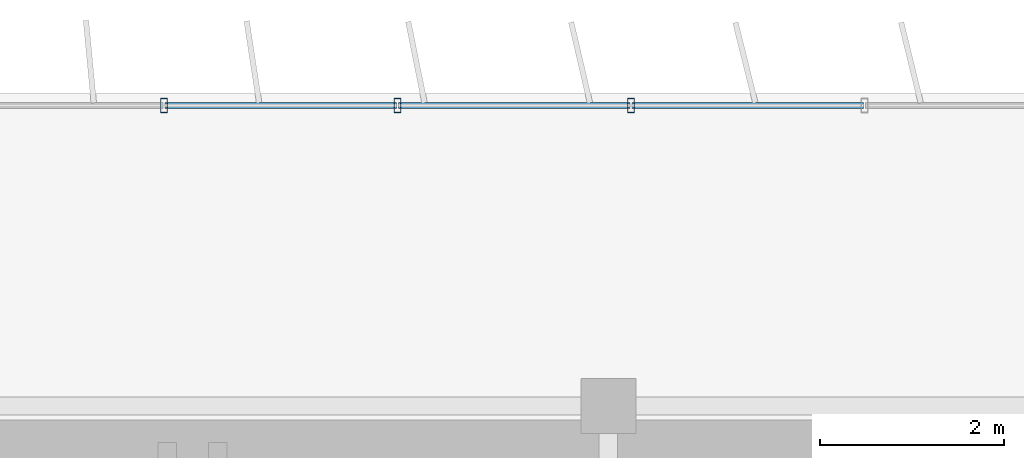
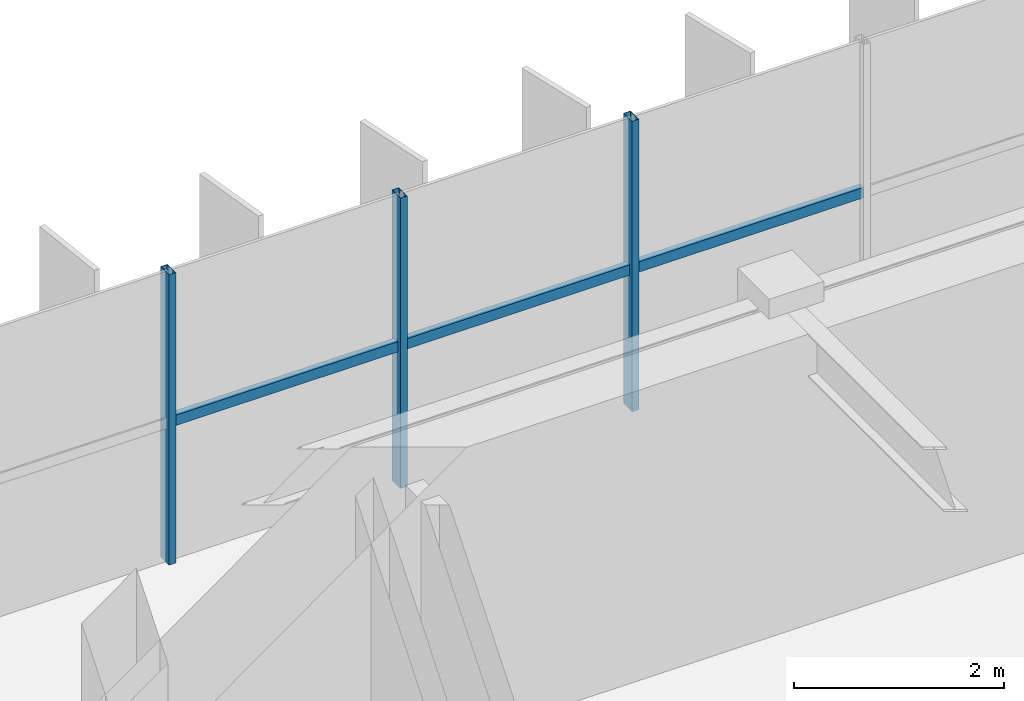
# One storey, part 8 of 22: 6 members, 1 element without a shape of its own.
"""IFC4 building model written with IfcOpenShell, lengths in metres."""

import ifcopenshell
import ifcopenshell.guid

model = None  # the IFC model being written
_history = None  # IfcOwnerHistory: only IFC2X3 demands one
_inside = {}  # id of a spatial element -> (the spatial element, [elements in it])
_under = {}  # id of a project, library or spatial element -> (it, [spatial elements below it])
_declared = {}  # id of a project -> (the project, [libraries it declares])
_typed = {}  # id of a type object -> (the type object, [elements of that type])
_made_of = {}  # id of a material, layer set ... -> (it, [elements and type objects made of it])


def new_model(schema):
    """Start an empty IFC model of exactly this schema.

    Asked for "IFC4X3", IfcOpenShell would pick the latest addendum, in which some entities
    have other attributes; the version numbers below select the first issue.
    IFC2X3 requires an IfcOwnerHistory on every rooted entity: one is made here for all.
    """
    global model, _history
    if schema == "IFC4X3":
        model = ifcopenshell.file(schema_version=(4, 3, 0, 0))
    else:
        model = ifcopenshell.file(schema=schema)
    _inside.clear()
    _under.clear()
    _declared.clear()
    _typed.clear()
    _made_of.clear()
    _history = None
    if model.schema == "IFC2X3":
        org = make("IfcOrganization", Name="unknown")
        user = make(
            "IfcPersonAndOrganization",
            ThePerson=make("IfcPerson", FamilyName="unknown"),
            TheOrganization=org,
        )
        app = make(
            "IfcApplication",
            ApplicationDeveloper=org,
            Version="unknown",
            ApplicationFullName="unknown",
            ApplicationIdentifier="unknown",
        )
        _history = make(
            "IfcOwnerHistory",
            OwningUser=user,
            OwningApplication=app,
            ChangeAction="ADDED",
            CreationDate=0,
        )
    return model


def make(cls, **values):
    """One entity of the class cls with the attributes given. An attribute that is None is left unset."""
    return model.create_entity(
        cls, **{name: value for name, value in values.items() if value is not None}
    )


def rooted(cls, **values):
    """An entity with a GlobalId (a new one), such as an element, a storey or a relation."""
    return make(cls, GlobalId=ifcopenshell.guid.new(), OwnerHistory=_history, **values)


def si_unit(unit_type, name, prefix=None):
    """IfcSIUnit, for example si_unit("LENGTHUNIT", "METRE", prefix="MILLI")."""
    return make("IfcSIUnit", UnitType=unit_type, Prefix=prefix, Name=name)


def assignment(units):
    """IfcUnitAssignment: the units of a project."""
    return None if units is None else make("IfcUnitAssignment", Units=units)


def point(xyz):
    """IfcCartesianPoint."""
    return None if xyz is None else make("IfcCartesianPoint", Coordinates=xyz)


def direction(xyz):
    """IfcDirection."""
    return None if xyz is None else make("IfcDirection", DirectionRatios=xyz)


def frame(location, z_axis=None, x_axis=None):
    """IfcAxis2Placement3D, a coordinate frame: its origin and axes. An axis left out is left unset."""
    return make(
        "IfcAxis2Placement3D",
        Location=point(location),
        Axis=direction(z_axis),
        RefDirection=direction(x_axis),
    )


def frame_2d(location, x_axis=None):
    """IfcAxis2Placement2D, a coordinate frame in the plane: its origin and x axis."""
    return make(
        "IfcAxis2Placement2D", Location=point(location), RefDirection=direction(x_axis)
    )


def origin():
    """The frame at (0, 0, 0) with its axes left unset."""
    return frame((0.0, 0.0, 0.0))


def origin_2d():
    """The frame at (0, 0) in the plane with its x axis left unset."""
    return frame_2d((0.0, 0.0))


def place(relative_to, where):
    """IfcLocalPlacement: puts the frame where relative to a parent placement (None: the world)."""
    return make(
        "IfcLocalPlacement", PlacementRelTo=relative_to, RelativePlacement=where
    )


def context(
    kind, dimensions, precision=None, world=None, true_north=None, identifier=None
):
    """IfcGeometricRepresentationContext, for example the 3D "Model" context."""
    return make(
        "IfcGeometricRepresentationContext",
        ContextIdentifier=identifier,
        ContextType=kind,
        CoordinateSpaceDimension=dimensions,
        Precision=precision,
        WorldCoordinateSystem=world,
        TrueNorth=true_north,
    )


def subcontext(parent, identifier, kind, view, scale=None):
    """IfcGeometricRepresentationSubContext, for example "Body" below "Model"."""
    return make(
        "IfcGeometricRepresentationSubContext",
        ContextIdentifier=identifier,
        ContextType=kind,
        ParentContext=parent,
        TargetScale=scale,
        TargetView=view,
    )


def project(units=None, contexts=None):
    """IfcProject with its units and contexts."""
    return rooted(
        "IfcProject",
        Name="project",
        RepresentationContexts=contexts,
        UnitsInContext=assignment(units),
    )


def spatial(cls, under=None, at=None, **own):
    """A site, building, storey or space (cls), placed at a placement, below another one or the project."""
    s = rooted(cls, ObjectPlacement=at, **own)
    if under is not None:
        _under.setdefault(under.id(), (under, []))[1].append(s)
    return s


def profile(cls, at=None, kind="AREA", **sizes):
    """A parametric profile (cls). Its sizes go by their IFC names, for example OverallWidth=200.0."""
    return make(cls, ProfileType=kind, Position=at, **sizes)


def hollow_rectangle(**sizes):
    """IfcRectangleHollowProfileDef."""
    return profile("IfcRectangleHollowProfileDef", **sizes)


def extrude(swept, where, along, depth):
    """IfcExtrudedAreaSolid: the profile swept, set in the frame where, extruded along a direction by depth."""
    return make(
        "IfcExtrudedAreaSolid",
        SweptArea=swept,
        Position=where,
        ExtrudedDirection=direction(along),
        Depth=depth,
    )


def shape(context_of_items, identifier, shape_type, items):
    """IfcShapeRepresentation: the items that make up one representation, for example the "Body"."""
    return make(
        "IfcShapeRepresentation",
        ContextOfItems=context_of_items,
        RepresentationIdentifier=identifier,
        RepresentationType=shape_type,
        Items=items,
    )


def source(mapping_origin, context_of_items, identifier, shape_type, items):
    """IfcRepresentationMap: a shape defined once, which mapped items show again and again."""
    return make(
        "IfcRepresentationMap",
        MappingOrigin=mapping_origin,
        MappedRepresentation=shape(context_of_items, identifier, shape_type, items),
    )


def transform(
    local_origin,
    x_axis=None,
    y_axis=None,
    z_axis=None,
    scale=None,
    scale2=None,
    scale3=None,
    uniform=True,
):
    """IfcCartesianTransformationOperator3D, or its non-uniform kind. x_axis, y_axis, z_axis: its Axis1, 2, 3."""
    if uniform:
        return make(
            "IfcCartesianTransformationOperator3D",
            Axis1=direction(x_axis),
            Axis2=direction(y_axis),
            LocalOrigin=point(local_origin),
            Scale=scale,
            Axis3=direction(z_axis),
        )
    return make(
        "IfcCartesianTransformationOperator3DnonUniform",
        Axis1=direction(x_axis),
        Axis2=direction(y_axis),
        LocalOrigin=point(local_origin),
        Scale=scale,
        Axis3=direction(z_axis),
        Scale2=scale2,
        Scale3=scale3,
    )


def mapped(mapping_source, mapping_target):
    """IfcMappedItem: shows the shape of a source again, moved by a transform."""
    return make(
        "IfcMappedItem", MappingSource=mapping_source, MappingTarget=mapping_target
    )


def material(Name=None, Category=None):
    """IfcMaterial."""
    return make("IfcMaterial", Name=Name, Category=Category)


def material_profile(
    of_material, cross_section, Name=None, Category=None, Priority=None
):
    """IfcMaterialProfile: a cross section and its material."""
    return make(
        "IfcMaterialProfile",
        Name=Name,
        Material=of_material,
        Profile=cross_section,
        Priority=Priority,
        Category=Category,
    )


def profile_set(profiles, Name=None, composite=None):
    """IfcMaterialProfileSet."""
    return make(
        "IfcMaterialProfileSet",
        Name=Name,
        MaterialProfiles=profiles,
        CompositeProfile=composite,
    )


def made_of(thing, what):
    """Note that an element or type object is made of a material, layer set ...; save() writes the relation."""
    if what is not None:
        _made_of.setdefault(what.id(), (what, []))[1].append(thing)
    return thing


def type_object(cls, material=None, **own):
    """A type object (cls), such as IfcWallType, which elements share."""
    return made_of(rooted(cls, **own), material)


def element(
    cls,
    number,
    at=None,
    inside=None,
    cuts=None,
    type_object=None,
    material=None,
    context=None,
    identifier="Body",
    shape_type=None,
    held_by="IfcProductDefinitionShape",
    body=None,
    shapes=None,
    **own,
):
    """One element of the class cls, such as IfcWall. Its Tag is "e" and its number.

    at: its placement. inside: the storey or other place that contains it. cuts: it is an
    opening in that element (IfcRelVoidsElement). A single representation is given by context,
    identifier, shape_type and body (its items); several are given by shapes. held_by: the class
    of the entity that holds the representations. save() writes the other relations.
    """
    e = rooted(cls, Tag="e%d" % number, ObjectPlacement=at, **own)
    if body is not None:
        shapes = [shape(context, identifier, shape_type, body)]
    if shapes is not None:
        e.Representation = make(held_by, Representations=shapes)
    if inside is not None:
        _inside.setdefault(inside.id(), (inside, []))[1].append(e)
    if cuts is not None:
        rooted(
            "IfcRelVoidsElement", RelatingBuildingElement=cuts, RelatedOpeningElement=e
        )
    if type_object is not None:
        _typed.setdefault(type_object.id(), (type_object, []))[1].append(e)
    return made_of(e, material)


def aggregate(whole, parts):
    """IfcRelAggregates: a whole, such as a stair, and the parts it consists of."""
    return rooted("IfcRelAggregates", RelatingObject=whole, RelatedObjects=parts)


def save(model, path):
    """Write the relations noted so far, then the file.

    IfcRelAggregates (storeys below a building ...), IfcRelContainedInSpatialStructure (elements
    in a storey), IfcRelDefinesByType, IfcRelAssociatesMaterial and IfcRelDeclares: one each for
    every whole, place, type object, material and project.
    """
    for whole, parts in _under.values():
        aggregate(whole, parts)
    for where, things in _inside.values():
        rooted(
            "IfcRelContainedInSpatialStructure",
            RelatedElements=things,
            RelatingStructure=where,
        )
    for kind, things in _typed.values():
        rooted("IfcRelDefinesByType", RelatedObjects=things, RelatingType=kind)
    for what, things in _made_of.values():
        rooted("IfcRelAssociatesMaterial", RelatedObjects=things, RelatingMaterial=what)
    for by, libraries in _declared.values():
        rooted("IfcRelDeclares", RelatingContext=by, RelatedDefinitions=libraries)
    model.write(path)


model = new_model("IFC4")

# Units and contexts
model_context = context("Model", 3, precision=1e-05, world=origin(), true_north=direction((0.0, 1.0)))
body_context = subcontext(model_context, "Body", "Model", "MODEL_VIEW")
ifc_project = project(units=[si_unit("LENGTHUNIT", "METRE"), si_unit("AREAUNIT", "SQUARE_METRE"), si_unit("VOLUMEUNIT", "CUBIC_METRE"), si_unit("PLANEANGLEUNIT", "RADIAN"), si_unit("MASSUNIT", "GRAM", prefix="KILO")], contexts=[model_context])

# Site, building, storey
site_placement = place(None, origin())
site = spatial("IfcSite", under=ifc_project, at=site_placement, CompositionType="ELEMENT")
building_placement = place(site_placement, origin())
building = spatial("IfcBuilding", under=site, at=building_placement, Name="Trelvane Seafront Commons", CompositionType="ELEMENT")
storey_placement = place(building_placement, frame((0.0, 0.0, 277.5)))
storey = spatial("IfcBuildingStorey", under=building, at=storey_placement, Name="L72", CompositionType="ELEMENT", Elevation=277.5)

# Curtain wall, members
ifc_material = material(Name="Anodised pale-silver aluminium", Category="aluminium")
curtain_wall_type = type_object("IfcCurtainWallType", Name="ARCH-CW5-UPTOWER", PredefinedType="NOTDEFINED", material=ifc_material)
curtain_wall_placement = place(storey_placement, origin())
curtain_wall = element("IfcCurtainWall", 1, at=curtain_wall_placement, inside=storey, type_object=curtain_wall_type, Name="CW-L72-0116", PredefinedType="NOTDEFINED")
ifc_material_profile_1 = material_profile(ifc_material, hollow_rectangle(XDim=0.070068359375, YDim=0.1201171875, WallThickness=0.00390625, at=origin_2d()), Name="TRAN-70x120x4")
ifc_profile_set_1 = profile_set([ifc_material_profile_1], Name="Anodised pale-silver aluminium")
member_type_1 = type_object("IfcMemberType", Name="ARCH-CW-TRAN-120", PredefinedType="USERDEFINED", material=ifc_profile_set_1)
shared_shape_1 = source(origin(), body_context, "Body", "SweptSolid", [
    extrude(hollow_rectangle(XDim=0.070068359375, YDim=0.1201171875, WallThickness=0.00390625, at=origin_2d()), origin(), (0.0, 0.0, 1.0), 2.51708984375),
])
member_1_placement = place(storey_placement, frame((30.859130859375, 48.3701171875, 1.617919921875), z_axis=(1.0, 0.0, 0.0), x_axis=(0.0, 1.0, 0.0)))
member_1 = element("IfcMember", 2, at=member_1_placement, type_object=member_type_1, Name="CW-L72-0116-T06", ObjectType="TRANSOM", PredefinedType="USERDEFINED", context=body_context, shape_type="MappedRepresentation", body=[
    mapped(shared_shape_1, transform((0.0, 0.0, 0.0), x_axis=(1.0, 0.0, 0.0), y_axis=(0.0, 1.0, 0.0), z_axis=(0.0, 0.0, 1.0), scale=1.0)),
])
shared_shape_2 = source(origin(), body_context, "Body", "SweptSolid", [
    extrude(hollow_rectangle(XDim=0.070068359375, YDim=0.1201171875, WallThickness=0.00390625, at=origin_2d()), origin(), (0.0, 0.0, 1.0), 2.517333984375),
])
member_2_placement = place(storey_placement, frame((25.776611328125, 48.3701171875, 1.617919921875), z_axis=(1.0, 0.0, 0.0), x_axis=(0.0, 1.0, 0.0)))
member_2 = element("IfcMember", 3, at=member_2_placement, type_object=member_type_1, Name="CW-L72-0116-T04", ObjectType="TRANSOM", PredefinedType="USERDEFINED", context=body_context, shape_type="MappedRepresentation", body=[
    mapped(shared_shape_2, transform((0.0, 0.0, 0.0), x_axis=(1.0, 0.0, 0.0), y_axis=(0.0, 1.0, 0.0), z_axis=(0.0, 0.0, 1.0), scale=1.0)),
])
member_3_placement = place(storey_placement, frame((28.31787109375, 48.3701171875, 1.617919921875), z_axis=(1.0, 0.0, 0.0), x_axis=(0.0, 1.0, 0.0)))
member_3 = element("IfcMember", 4, at=member_3_placement, type_object=member_type_1, Name="CW-L72-0116-T05", ObjectType="TRANSOM", PredefinedType="USERDEFINED", context=body_context, shape_type="MappedRepresentation", body=[
    mapped(shared_shape_2, transform((0.0, 0.0, 0.0), x_axis=(1.0, 0.0, 0.0), y_axis=(0.0, 1.0, 0.0), z_axis=(0.0, 0.0, 1.0), scale=1.0)),
])
ifc_material_profile_2 = material_profile(ifc_material, hollow_rectangle(XDim=0.074951171875, YDim=0.159912109375, WallThickness=0.00390625, at=origin_2d()), Name="MULL-75x160x4")
ifc_profile_set_2 = profile_set([ifc_material_profile_2], Name="Anodised pale-silver aluminium")
member_type_2 = type_object("IfcMemberType", Name="ARCH-CW-MULL-160", PredefinedType="MULLION", material=ifc_profile_set_2)
shared_shape_3 = source(origin(), body_context, "Body", "SweptSolid", [
    extrude(hollow_rectangle(XDim=0.074951171875, YDim=0.159912109375, WallThickness=0.00390625, at=origin_2d()), origin(), (0.0, 0.0, 1.0), 3.3701171875),
])
member_4_placement = place(storey_placement, frame((25.7646484375, 48.3701171875, 0.0), z_axis=(0.0, 0.0, 1.0), x_axis=(1.0, 0.0, 0.0)))
member_4 = element("IfcMember", 5, at=member_4_placement, type_object=member_type_2, Name="CW-L72-0116-M04", PredefinedType="MULLION", context=body_context, shape_type="MappedRepresentation", body=[
    mapped(shared_shape_3, transform((0.0, 0.0, 0.0), x_axis=(1.0, 0.0, 0.0), y_axis=(0.0, 1.0, 0.0), z_axis=(0.0, 0.0, 1.0), scale=1.0)),
])
member_5_placement = place(storey_placement, frame((28.305908203125, 48.3701171875, 0.0), z_axis=(0.0, 0.0, 1.0), x_axis=(1.0, 0.0, 0.0)))
member_5 = element("IfcMember", 6, at=member_5_placement, type_object=member_type_2, Name="CW-L72-0116-M05", PredefinedType="MULLION", context=body_context, shape_type="MappedRepresentation", body=[
    mapped(shared_shape_3, transform((0.0, 0.0, 0.0), x_axis=(1.0, 0.0, 0.0), y_axis=(0.0, 1.0, 0.0), z_axis=(0.0, 0.0, 1.0), scale=1.0)),
])
member_6_placement = place(storey_placement, frame((30.84716796875, 48.3701171875, 0.0), z_axis=(0.0, 0.0, 1.0), x_axis=(1.0, 0.0, 0.0)))
member_6 = element("IfcMember", 7, at=member_6_placement, type_object=member_type_2, Name="CW-L72-0116-M06", PredefinedType="MULLION", context=body_context, shape_type="MappedRepresentation", body=[
    mapped(shared_shape_3, transform((0.0, 0.0, 0.0), x_axis=(1.0, 0.0, 0.0), y_axis=(0.0, 1.0, 0.0), z_axis=(0.0, 0.0, 1.0), scale=1.0)),
])
aggregate(curtain_wall, [member_4, member_5, member_6, member_2, member_3, member_1])

save(model, "model.ifc")
